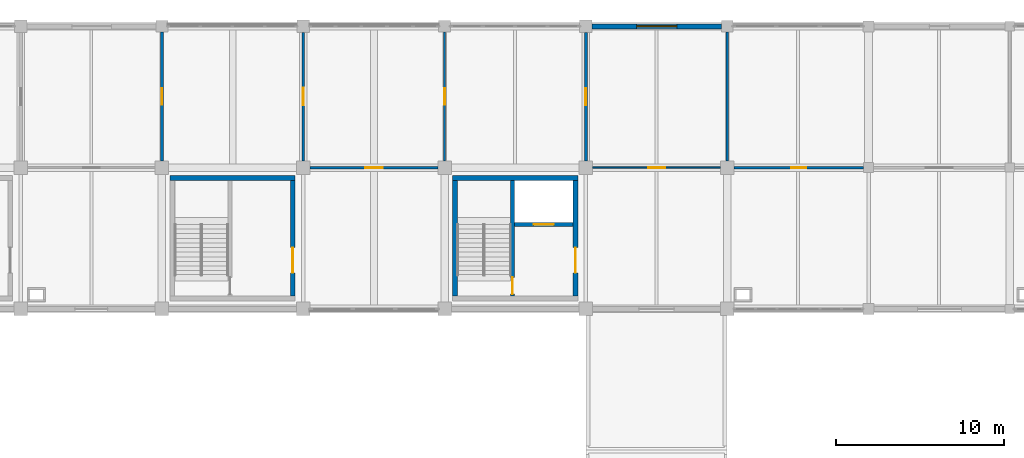
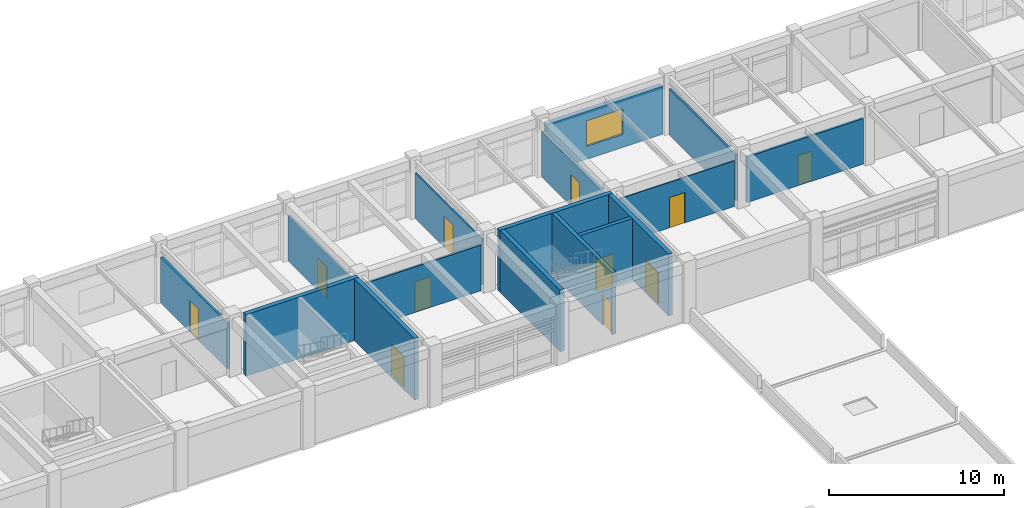
# One storey, part 67 of 74: 16 walls, 11 doors, 1 window, 12 openings.
"""IFC4 building model written with IfcOpenShell, lengths in metres."""

from ifc_helpers import new_model, si_unit, direction, frame, frame_2d, origin, place, context, subcontext, project, spatial, rectangle, extrude, material, layer, layer_set, type_object, element, fill, save


model = new_model("IFC4")

# Units and contexts
model_context = context("Model", 3, precision=1e-05, world=origin(), true_north=direction((0.0, 1.0)))
body_context = subcontext(model_context, "Body", "Model", "MODEL_VIEW")
ifc_project = project(units=[si_unit("LENGTHUNIT", "METRE"), si_unit("AREAUNIT", "SQUARE_METRE"), si_unit("VOLUMEUNIT", "CUBIC_METRE"), si_unit("PLANEANGLEUNIT", "RADIAN"), si_unit("MASSUNIT", "GRAM", prefix="KILO")], contexts=[model_context])

# Site, building, storey
site_placement = place(None, origin())
site = spatial("IfcSite", under=ifc_project, at=site_placement, CompositionType="ELEMENT")
building_placement = place(site_placement, origin())
building = spatial("IfcBuilding", under=site, at=building_placement, Name="Porcellanite Civic Hall", CompositionType="ELEMENT")
storey_placement = place(building_placement, frame((0.0, 0.0, 14.760009765625)))
storey = spatial("IfcBuildingStorey", under=building, at=storey_placement, Name="L03", CompositionType="ELEMENT", Elevation=14.760009765625)

# Wall, opening, door
ifc_material_1 = material(Name="Concrete N40 (40 MPa)", Category="concrete")
ifc_layer_1 = layer(ifc_material_1, 0.239990234375)
ifc_layer_set_1 = layer_set([ifc_layer_1], Name="Concrete N40 (40 MPa)")
wall_type_1 = type_object("IfcWallType", Name="CW-SH240", PredefinedType="SHEAR", material=ifc_layer_set_1)
wall_1_placement = place(storey_placement, frame((113.239990234375, 101.56005859375, 0.0), z_axis=(0.0, 0.0, 1.0), x_axis=(0.0, 1.0, 0.0)))
wall_1 = element("IfcWall", 1, at=wall_1_placement, inside=storey, type_object=wall_type_1, Name="Core divider C4 L03", PredefinedType="SHEAR", context=body_context, shape_type="SweptSolid", body=[
    extrude(rectangle(XDim=6.8798828125, YDim=0.239990234375, at=frame_2d((3.43994140625, 0.0))), origin(), (0.0, 0.0, 1.0), 4.320068359375),
])
opening_1_placement = place(wall_1_placement, frame((0.1201171875, 0.0, 0.0)))
opening_1 = element("IfcOpeningElement", 2, at=opening_1_placement, cuts=wall_1, Name="Opening FD-C4-L03-ST", PredefinedType="OPENING", context=body_context, shape_type="SweptSolid", body=[
    extrude(rectangle(XDim=1.0, YDim=2.14990234375, at=frame_2d((0.5, 1.074951171875))), frame((0.0, 0.1201171875, 0.0), z_axis=(0.0, -1.0, 0.0), x_axis=(1.0, 0.0, 0.0)), (0.0, 0.0, 1.0), 0.239990234375),
])
ifc_material_2 = material(Name="Fire-rated solid-core hardwood timber", Category="wood")
door_type_1 = type_object("IfcDoorType", Name="DR-FD100", OperationType="NOTDEFINED", PredefinedType="DOOR", material=ifc_material_2)
door_1_placement = place(opening_1_placement, origin())
door_1 = element("IfcDoor", 3, at=door_1_placement, inside=storey, type_object=door_type_1, Name="Fire stair door FD-C4-L03-ST", OperationType="SINGLE_SWING_LEFT", OverallHeight=2.14990234375, OverallWidth=1.0, PredefinedType="DOOR", context=body_context, shape_type="SweptSolid", body=[
    extrude(rectangle(XDim=1.0, YDim=2.14990234375, at=frame_2d((0.5, 1.074951171875))), frame((0.0, 0.02490234375, 0.0), z_axis=(0.0, -1.0, 0.0), x_axis=(1.0, 0.0, 0.0)), (0.0, 0.0, 1.0), 0.050048828125),
])
fill(opening_1, door_1)

wall_2_placement = place(storey_placement, frame((113.360107421875, 105.820068359375, 0.0), z_axis=(0.0, 0.0, 1.0), x_axis=(1.0, 0.0, 0.0)))
wall_2 = element("IfcWall", 4, at=wall_2_placement, inside=storey, type_object=wall_type_1, Name="Lift shaft wall C4 L03", PredefinedType="SHEAR", context=body_context, shape_type="SweptSolid", body=[
    extrude(rectangle(XDim=3.47998046875, YDim=0.239990234375, at=frame_2d((1.739990234375, 0.0))), origin(), (0.0, 0.0, 1.0), 4.320068359375),
])
opening_2_placement = place(wall_2_placement, frame((1.139892578125, 0.0, 0.0)))
opening_2 = element("IfcOpeningElement", 5, at=opening_2_placement, cuts=wall_2, Name="Opening LD-02", PredefinedType="OPENING", context=body_context, shape_type="SweptSolid", body=[
    extrude(rectangle(XDim=1.199951171875, YDim=2.199951171875, at=frame_2d((0.60009765625, 1.10009765625))), frame((0.0, 0.1201171875, 0.0), z_axis=(0.0, -1.0, 0.0), x_axis=(1.0, 0.0, 0.0)), (0.0, 0.0, 1.0), 0.239990234375),
])
ifc_material_3 = material(Name="Brushed stainless steel 316", Category="steel")
door_type_2 = type_object("IfcDoorType", Name="DR-LD120", OperationType="DOUBLE_DOOR_SLIDING", PredefinedType="DOOR", material=ifc_material_3)
door_2_placement = place(opening_2_placement, origin())
door_2 = element("IfcDoor", 6, at=door_2_placement, inside=storey, type_object=door_type_2, Name="Lift landing sliding door LD-02 L03", OperationType="DOUBLE_DOOR_SLIDING", OverallHeight=2.199951171875, OverallWidth=1.199951171875, PredefinedType="DOOR", context=body_context, shape_type="SweptSolid", body=[
    extrude(rectangle(XDim=1.199951171875, YDim=2.199951171875, at=frame_2d((0.60009765625, 1.10009765625))), frame((0.0, 0.02490234375, 0.0), z_axis=(0.0, -1.0, 0.0), x_axis=(1.0, 0.0, 0.0)), (0.0, 0.0, 1.0), 0.050048828125),
])
fill(opening_2, door_2)

# Walls
ifc_material_4 = material(Name="Concrete N40 (40 MPa)", Category="concrete")
ifc_layer_2 = layer(ifc_material_4, 0.280029296875)
ifc_layer_set_2 = layer_set([ifc_layer_2], Name="Concrete N40 (40 MPa)")
wall_type_2 = type_object("IfcWallType", Name="CW-SH280", PredefinedType="SHEAR", material=ifc_layer_set_2)
wall_3_placement = place(storey_placement, frame((109.820068359375, 101.56005859375, 0.0), z_axis=(0.0, 0.0, 1.0), x_axis=(0.0, 1.0, 0.0)))
element("IfcWall", 7, at=wall_3_placement, inside=storey, type_object=wall_type_2, Name="Core wall C4 L03 W", PredefinedType="SHEAR", context=body_context, shape_type="SweptSolid", body=[
    extrude(rectangle(XDim=6.8798828125, YDim=0.280029296875, at=frame_2d((3.43994140625, 0.0))), origin(), (0.0, 0.0, 1.0), 4.320068359375),
])
wall_4_placement = place(storey_placement, frame((109.679931640625, 108.580078125, 0.0), z_axis=(0.0, 0.0, 1.0), x_axis=(1.0, 0.0, 0.0)))
element("IfcWall", 8, at=wall_4_placement, inside=storey, type_object=wall_type_2, Name="Core wall C4 L03 N", PredefinedType="SHEAR", context=body_context, shape_type="SweptSolid", body=[
    extrude(rectangle(XDim=7.440185546875, YDim=0.280029296875, at=frame_2d((3.72021484375, 0.0))), origin(), (0.0, 0.0, 1.0), 4.320068359375),
])

# Wall, opening, door
wall_5_placement = place(storey_placement, frame((116.97998046875, 108.43994140625, 0.0), z_axis=(0.0, 0.0, 1.0), x_axis=(0.0, -1.0, 0.0)))
wall_5 = element("IfcWall", 9, at=wall_5_placement, inside=storey, type_object=wall_type_2, Name="Core wall C4 L03 E", PredefinedType="SHEAR", context=body_context, shape_type="SweptSolid", body=[
    extrude(rectangle(XDim=6.8798828125, YDim=0.280029296875, at=frame_2d((3.43994140625, 0.0))), origin(), (0.0, 0.0, 1.0), 4.320068359375),
])
opening_3_placement = place(wall_5_placement, frame((3.989990234375, 0.0, 0.0)))
opening_3 = element("IfcOpeningElement", 10, at=opening_3_placement, cuts=wall_5, Name="Opening FD-C4-L03-LB", PredefinedType="OPENING", context=body_context, shape_type="SweptSolid", body=[
    extrude(rectangle(XDim=1.5, YDim=2.14990234375, at=frame_2d((0.75, 1.074951171875))), frame((0.0, 0.14013671875, 0.0), z_axis=(0.0, -1.0, 0.0), x_axis=(1.0, 0.0, 0.0)), (0.0, 0.0, 1.0), 0.280029296875),
])
ifc_material_5 = material(Name="Fire-rated steel and Georgian wired glass", Category="steel")
door_type_3 = type_object("IfcDoorType", Name="DR-FD150", OperationType="DOUBLE_DOOR_SINGLE_SWING", PredefinedType="DOOR", material=ifc_material_5)
door_3_placement = place(opening_3_placement, origin())
door_3 = element("IfcDoor", 11, at=door_3_placement, inside=storey, type_object=door_type_3, Name="Fire lobby double door FD-C4-L03-LB", OperationType="DOUBLE_DOOR_SINGLE_SWING", OverallHeight=2.14990234375, OverallWidth=1.5, PredefinedType="DOOR", context=body_context, shape_type="SweptSolid", body=[
    extrude(rectangle(XDim=1.5, YDim=2.14990234375, at=frame_2d((0.75, 1.074951171875))), frame((0.0, 0.02490234375, 0.0), z_axis=(0.0, -1.0, 0.0), x_axis=(1.0, 0.0, 0.0)), (0.0, 0.0, 1.0), 0.050048828125),
])
fill(opening_3, door_3)

# Wall
wall_6_placement = place(storey_placement, frame((92.8798828125, 108.580078125, 0.0), z_axis=(0.0, 0.0, 1.0), x_axis=(1.0, 0.0, 0.0)))
element("IfcWall", 12, at=wall_6_placement, inside=storey, type_object=wall_type_2, Name="Core wall S10 L03 N", PredefinedType="SHEAR", context=body_context, shape_type="SweptSolid", body=[
    extrude(rectangle(XDim=7.440185546875, YDim=0.280029296875, at=frame_2d((3.72021484375, 0.0))), origin(), (0.0, 0.0, 1.0), 4.320068359375),
])

# Wall, opening, door
wall_7_placement = place(storey_placement, frame((100.179931640625, 108.43994140625, 0.0), z_axis=(0.0, 0.0, 1.0), x_axis=(0.0, -1.0, 0.0)))
wall_7 = element("IfcWall", 13, at=wall_7_placement, inside=storey, type_object=wall_type_2, Name="Core wall S10 L03 E", PredefinedType="SHEAR", context=body_context, shape_type="SweptSolid", body=[
    extrude(rectangle(XDim=6.8798828125, YDim=0.280029296875, at=frame_2d((3.43994140625, 0.0))), origin(), (0.0, 0.0, 1.0), 4.320068359375),
])
opening_4_placement = place(wall_7_placement, frame((3.989990234375, 0.0, 0.0)))
opening_4 = element("IfcOpeningElement", 14, at=opening_4_placement, cuts=wall_7, Name="Opening FD-S10-L03-LB", PredefinedType="OPENING", context=body_context, shape_type="SweptSolid", body=[
    extrude(rectangle(XDim=1.5, YDim=2.14990234375, at=frame_2d((0.75, 1.074951171875))), frame((0.0, 0.14013671875, 0.0), z_axis=(0.0, -1.0, 0.0), x_axis=(1.0, 0.0, 0.0)), (0.0, 0.0, 1.0), 0.280029296875),
])
door_4_placement = place(opening_4_placement, origin())
door_4 = element("IfcDoor", 15, at=door_4_placement, inside=storey, type_object=door_type_3, Name="Fire lobby double door FD-S10-L03-LB", OperationType="DOUBLE_DOOR_SINGLE_SWING", OverallHeight=2.14990234375, OverallWidth=1.5, PredefinedType="DOOR", context=body_context, shape_type="SweptSolid", body=[
    extrude(rectangle(XDim=1.5, YDim=2.14990234375, at=frame_2d((0.75, 1.074951171875))), frame((0.0, 0.02490234375, 0.0), z_axis=(0.0, -1.0, 0.0), x_axis=(1.0, 0.0, 0.0)), (0.0, 0.0, 1.0), 0.050048828125),
])
fill(opening_4, door_4)

# Wall, opening, window
ifc_material_6 = material(Name="Precast concrete N40 (40 MPa)", Category="concrete")
ifc_layer_3 = layer(ifc_material_6, 0.300048828125)
ifc_layer_set_3 = layer_set([ifc_layer_3], Name="Precast concrete N40 (40 MPa)")
wall_type_3 = type_object("IfcWallType", Name="EW-ADM300", PredefinedType="SOLIDWALL", material=ifc_layer_set_3)
wall_8_placement = place(storey_placement, frame((117.97607421875, 117.60009765625, 0.0), z_axis=(0.0, 0.0, 1.0), x_axis=(1.0, 0.0, 0.0)))
wall_8 = element("IfcWall", 16, at=wall_8_placement, inside=storey, type_object=wall_type_3, Name="Exterior wall L03 N 15-14", PredefinedType="SOLIDWALL", context=body_context, shape_type="SweptSolid", body=[
    extrude(rectangle(XDim=7.6728515625, YDim=0.300048828125, at=frame_2d((3.83642578125, 0.0))), origin(), (0.0, 0.0, 1.0), 3.369873046875),
])
opening_5_placement = place(wall_8_placement, frame((2.635986328125, 0.0, 0.89990234375)))
opening_5 = element("IfcOpeningElement", 17, at=opening_5_placement, cuts=wall_8, Name="Opening W03", PredefinedType="OPENING", context=body_context, shape_type="SweptSolid", body=[
    extrude(rectangle(XDim=2.39990234375, YDim=1.800048828125, at=frame_2d((1.199951171875, 0.89990234375))), frame((0.0, 0.14990234375, 0.0), z_axis=(0.0, -1.0, 0.0), x_axis=(1.0, 0.0, 0.0)), (0.0, 0.0, 1.0), 0.300048828125),
])
ifc_material_7 = material(Name="Cyclone laminated low-E glazing in anodised aluminium frame", Category="aluminium")
window_type = type_object("IfcWindowType", Name="WN-03", PartitioningType="TRIPLE_PANEL_VERTICAL", PredefinedType="WINDOW", material=ifc_material_7)
window_placement = place(opening_5_placement, origin())
window = element("IfcWindow", 18, at=window_placement, inside=storey, type_object=window_type, Name="Window W03 L03 N 15-14", OverallHeight=1.800048828125, OverallWidth=2.39990234375, PartitioningType="SINGLE_PANEL", PredefinedType="WINDOW", context=body_context, shape_type="SweptSolid", body=[
    extrude(rectangle(XDim=2.39990234375, YDim=1.800048828125, at=frame_2d((1.199951171875, 0.89990234375))), frame((0.0, 0.030029296875, 0.0), z_axis=(0.0, -1.0, 0.0), x_axis=(1.0, 0.0, 0.0)), (0.0, 0.0, 1.0), 0.06005859375),
])
fill(opening_5, window)

# Wall
ifc_material_8 = material(Name="Fire-rated plasterboard on light-gauge steel studs", Category="steel")
ifc_layer_4 = layer(ifc_material_8, 0.14794921875)
ifc_layer_set_4 = layer_set([ifc_layer_4], Name="Fire-rated plasterboard on light-gauge steel studs")
wall_type_4 = type_object("IfcWallType", Name="IW-FR148", PredefinedType="PARTITIONING", material=ifc_layer_set_4)
wall_9_placement = place(storey_placement, frame((126.0, 109.60205078125, 0.0), z_axis=(0.0, 0.0, 1.0), x_axis=(0.0, 1.0, 0.0)))
element("IfcWall", 19, at=wall_9_placement, inside=storey, type_object=wall_type_4, Name="Fire compartment wall L03 V 15-14", PredefinedType="PARTITIONING", context=body_context, shape_type="SweptSolid", body=[
    extrude(rectangle(XDim=7.64599609375, YDim=0.14794921875, at=frame_2d((3.822998046875, 0.0))), origin(), (0.0, 0.0, 1.0), 3.18994140625),
])

# Wall, opening, door
ifc_material_9 = material(Name="Fire-rated plasterboard on light-gauge steel studs", Category="steel")
ifc_layer_5 = layer(ifc_material_9, 0.159912109375)
ifc_layer_set_5 = layer_set([ifc_layer_5], Name="Fire-rated plasterboard on light-gauge steel studs")
wall_type_5 = type_object("IfcWallType", Name="IW-FR160", PredefinedType="PARTITIONING", material=ifc_layer_set_5)
wall_10_placement = place(storey_placement, frame((126.402099609375, 109.199951171875, 0.0), z_axis=(0.0, 0.0, 1.0), x_axis=(1.0, 0.0, 0.0)))
wall_10 = element("IfcWall", 20, at=wall_10_placement, inside=storey, type_object=wall_type_5, Name="Fire compartment wall L03 H 16-13", PredefinedType="PARTITIONING", context=body_context, shape_type="SweptSolid", body=[
    extrude(rectangle(XDim=7.69580078125, YDim=0.159912109375, at=frame_2d((3.847900390625, 0.0))), origin(), (0.0, 0.0, 1.0), 3.18994140625),
])
opening_6_placement = place(wall_10_placement, frame((3.39794921875, 0.0, 0.0)))
opening_6 = element("IfcOpeningElement", 21, at=opening_6_placement, cuts=wall_10, Name="Opening D-L03-427", PredefinedType="OPENING", context=body_context, shape_type="SweptSolid", body=[
    extrude(rectangle(XDim=0.89990234375, YDim=2.050048828125, at=frame_2d((0.449951171875, 1.02490234375))), frame((0.0, 0.080078125, 0.0), z_axis=(0.0, -1.0, 0.0), x_axis=(1.0, 0.0, 0.0)), (0.0, 0.0, 1.0), 0.159912109375),
])
ifc_material_10 = material(Name="Fire-rated steel riser access leaf", Category="steel")
door_type_4 = type_object("IfcDoorType", Name="DR-FD090", OperationType="NOTDEFINED", PredefinedType="DOOR", material=ifc_material_10)
door_5_placement = place(opening_6_placement, origin())
door_5 = element("IfcDoor", 22, at=door_5_placement, inside=storey, type_object=door_type_4, Name="Interior door D-L03-427", OperationType="SINGLE_SWING_RIGHT", OverallHeight=2.050048828125, OverallWidth=0.89990234375, PredefinedType="DOOR", context=body_context, shape_type="SweptSolid", body=[
    extrude(rectangle(XDim=0.89990234375, YDim=2.050048828125, at=frame_2d((0.449951171875, 1.02490234375))), frame((0.0, 0.02490234375, 0.0), z_axis=(0.0, -1.0, 0.0), x_axis=(1.0, 0.0, 0.0)), (0.0, 0.0, 1.0), 0.050048828125),
])
fill(opening_6, door_5)

ifc_material_11 = material(Name="Insulated acoustic plasterboard on light-gauge steel studs", Category="steel")
ifc_layer_6 = layer(ifc_material_11, 0.094970703125)
ifc_layer_set_6 = layer_set([ifc_layer_6], Name="Insulated acoustic plasterboard on light-gauge steel studs")
wall_type_6 = type_object("IfcWallType", Name="IW-PT095", PredefinedType="PARTITIONING", material=ifc_layer_set_6)
wall_11_placement = place(storey_placement, frame((118.001953125, 109.199951171875, 0.0), z_axis=(0.0, 0.0, 1.0), x_axis=(1.0, 0.0, 0.0)))
wall_11 = element("IfcWall", 23, at=wall_11_placement, inside=storey, type_object=wall_type_6, Name="Partition L03 H 15-13", PredefinedType="PARTITIONING", context=body_context, shape_type="SweptSolid", body=[
    extrude(rectangle(XDim=7.595947265625, YDim=0.094970703125, at=frame_2d((3.7978515625, 0.0))), origin(), (0.0, 0.0, 1.0), 3.18994140625),
])
opening_7_placement = place(wall_11_placement, frame((3.29296875, 0.0, 0.0)))
opening_7 = element("IfcOpeningElement", 24, at=opening_7_placement, cuts=wall_11, Name="Opening D-L03-426", PredefinedType="OPENING", context=body_context, shape_type="SweptSolid", body=[
    extrude(rectangle(XDim=1.010009765625, YDim=2.1201171875, at=frame_2d((0.5048828125, 1.06005859375))), frame((0.0, 0.04736328125, 0.0), z_axis=(0.0, -1.0, 0.0), x_axis=(1.0, 0.0, 0.0)), (0.0, 0.0, 1.0), 0.094970703125),
])
ifc_material_12 = material(Name="Solid-core spotted-gum timber", Category="wood")
door_type_5 = type_object("IfcDoorType", Name="DR-RM101", OperationType="NOTDEFINED", PredefinedType="DOOR", material=ifc_material_12)
door_6_placement = place(opening_7_placement, origin())
door_6 = element("IfcDoor", 25, at=door_6_placement, inside=storey, type_object=door_type_5, Name="Interior door D-L03-426", OperationType="SINGLE_SWING_LEFT", OverallHeight=2.1201171875, OverallWidth=1.010009765625, PredefinedType="DOOR", context=body_context, shape_type="SweptSolid", body=[
    extrude(rectangle(XDim=1.010009765625, YDim=2.1201171875, at=frame_2d((0.5048828125, 1.06005859375))), frame((0.0, 0.02490234375, 0.0), z_axis=(0.0, -1.0, 0.0), x_axis=(1.0, 0.0, 0.0)), (0.0, 0.0, 1.0), 0.050048828125),
])
fill(opening_7, door_6)

ifc_material_13 = material(Name="Insulated acoustic plasterboard on light-gauge steel studs", Category="steel")
ifc_layer_7 = layer(ifc_material_13, 0.10498046875)
ifc_layer_set_7 = layer_set([ifc_layer_7], Name="Insulated acoustic plasterboard on light-gauge steel studs")
wall_type_7 = type_object("IfcWallType", Name="IW-PT105", PredefinedType="PARTITIONING", material=ifc_layer_set_7)
wall_12_placement = place(storey_placement, frame((109.199951171875, 109.60205078125, 0.0), z_axis=(0.0, 0.0, 1.0), x_axis=(0.0, 1.0, 0.0)))
wall_12 = element("IfcWall", 26, at=wall_12_placement, inside=storey, type_object=wall_type_7, Name="Partition L03 V 13-14", PredefinedType="PARTITIONING", context=body_context, shape_type="SweptSolid", body=[
    extrude(rectangle(XDim=7.64599609375, YDim=0.10498046875, at=frame_2d((3.822998046875, 0.0))), origin(), (0.0, 0.0, 1.0), 3.18994140625),
])
opening_8_placement = place(wall_12_placement, frame((3.3330078125, 0.0, 0.0)))
opening_8 = element("IfcOpeningElement", 27, at=opening_8_placement, cuts=wall_12, Name="Opening D-L03-447", PredefinedType="OPENING", context=body_context, shape_type="SweptSolid", body=[
    extrude(rectangle(XDim=0.97998046875, YDim=2.179931640625, at=frame_2d((0.489990234375, 1.08984375))), frame((0.0, 0.052490234375, 0.0), z_axis=(0.0, -1.0, 0.0), x_axis=(1.0, 0.0, 0.0)), (0.0, 0.0, 1.0), 0.10498046875),
])
ifc_material_14 = material(Name="Solid-core spotted-gum timber", Category="wood")
door_type_6 = type_object("IfcDoorType", Name="DR-RM098", OperationType="NOTDEFINED", PredefinedType="DOOR", material=ifc_material_14)
door_7_placement = place(opening_8_placement, origin())
door_7 = element("IfcDoor", 28, at=door_7_placement, inside=storey, type_object=door_type_6, Name="Interior door D-L03-447", OperationType="SINGLE_SWING_LEFT", OverallHeight=2.179931640625, OverallWidth=0.97998046875, PredefinedType="DOOR", context=body_context, shape_type="SweptSolid", body=[
    extrude(rectangle(XDim=0.97998046875, YDim=2.179931640625, at=frame_2d((0.489990234375, 1.08984375))), frame((0.0, 0.02490234375, 0.0), z_axis=(0.0, -1.0, 0.0), x_axis=(1.0, 0.0, 0.0)), (0.0, 0.0, 1.0), 0.050048828125),
])
fill(opening_8, door_7)

ifc_material_15 = material(Name="Insulated acoustic plasterboard on light-gauge steel studs", Category="steel")
ifc_layer_8 = layer(ifc_material_15, 0.135009765625)
ifc_layer_set_8 = layer_set([ifc_layer_8], Name="Insulated acoustic plasterboard on light-gauge steel studs")
wall_type_8 = type_object("IfcWallType", Name="IW-PT135", PredefinedType="PARTITIONING", material=ifc_layer_set_8)
wall_13_placement = place(storey_placement, frame((100.800048828125, 109.60205078125, 0.0), z_axis=(0.0, 0.0, 1.0), x_axis=(0.0, 1.0, 0.0)))
wall_13 = element("IfcWall", 29, at=wall_13_placement, inside=storey, type_object=wall_type_8, Name="Partition L03 V 12-14", PredefinedType="PARTITIONING", context=body_context, shape_type="SweptSolid", body=[
    extrude(rectangle(XDim=7.620849609375, YDim=0.135009765625, at=frame_2d((3.810546875, 0.0))), origin(), (0.0, 0.0, 1.0), 3.18994140625),
])
opening_9_placement = place(wall_13_placement, frame((3.291015625, 0.0, 0.0)))
opening_9 = element("IfcOpeningElement", 30, at=opening_9_placement, cuts=wall_13, Name="Opening D-L03-457", PredefinedType="OPENING", context=body_context, shape_type="SweptSolid", body=[
    extrude(rectangle(XDim=1.0400390625, YDim=2.199951171875, at=frame_2d((0.52001953125, 1.10009765625))), frame((0.0, 0.0673828125, 0.0), z_axis=(0.0, -1.0, 0.0), x_axis=(1.0, 0.0, 0.0)), (0.0, 0.0, 1.0), 0.135009765625),
])
ifc_material_16 = material(Name="Solid-core spotted-gum timber", Category="wood")
door_type_7 = type_object("IfcDoorType", Name="DR-RM104", OperationType="NOTDEFINED", PredefinedType="DOOR", material=ifc_material_16)
door_8_placement = place(opening_9_placement, origin())
door_8 = element("IfcDoor", 31, at=door_8_placement, inside=storey, type_object=door_type_7, Name="Interior door D-L03-457", OperationType="SINGLE_SWING_LEFT", OverallHeight=2.199951171875, OverallWidth=1.0400390625, PredefinedType="DOOR", context=body_context, shape_type="SweptSolid", body=[
    extrude(rectangle(XDim=1.0400390625, YDim=2.199951171875, at=frame_2d((0.52001953125, 1.10009765625))), frame((0.0, 0.02490234375, 0.0), z_axis=(0.0, -1.0, 0.0), x_axis=(1.0, 0.0, 0.0)), (0.0, 0.0, 1.0), 0.050048828125),
])
fill(opening_9, door_8)

ifc_material_17 = material(Name="Insulated acoustic plasterboard on light-gauge steel studs", Category="steel")
ifc_layer_9 = layer(ifc_material_17, 0.155029296875)
ifc_layer_set_9 = layer_set([ifc_layer_9], Name="Insulated acoustic plasterboard on light-gauge steel studs")
wall_type_9 = type_object("IfcWallType", Name="IW-PT155", PredefinedType="PARTITIONING", material=ifc_layer_set_9)
wall_14_placement = place(storey_placement, frame((101.201904296875, 109.199951171875, 0.0), z_axis=(0.0, 0.0, 1.0), x_axis=(1.0, 0.0, 0.0)))
wall_14 = element("IfcWall", 32, at=wall_14_placement, inside=storey, type_object=wall_type_9, Name="Partition L03 H 13-13", PredefinedType="PARTITIONING", context=body_context, shape_type="SweptSolid", body=[
    extrude(rectangle(XDim=7.59619140625, YDim=0.155029296875, at=frame_2d((3.798095703125, 0.0))), origin(), (0.0, 0.0, 1.0), 3.18994140625),
])
opening_10_placement = place(wall_14_placement, frame((3.27294921875, 0.0, 0.0)))
opening_10 = element("IfcOpeningElement", 33, at=opening_10_placement, cuts=wall_14, Name="Opening D-L03-425", PredefinedType="OPENING", context=body_context, shape_type="SweptSolid", body=[
    extrude(rectangle(XDim=1.050048828125, YDim=2.1201171875, at=frame_2d((0.52490234375, 1.06005859375))), frame((0.0, 0.07763671875, 0.0), z_axis=(0.0, -1.0, 0.0), x_axis=(1.0, 0.0, 0.0)), (0.0, 0.0, 1.0), 0.155029296875),
])
ifc_material_18 = material(Name="Solid-core spotted-gum timber", Category="wood")
door_type_8 = type_object("IfcDoorType", Name="DR-RM105", OperationType="NOTDEFINED", PredefinedType="DOOR", material=ifc_material_18)
door_9_placement = place(opening_10_placement, origin())
door_9 = element("IfcDoor", 34, at=door_9_placement, inside=storey, type_object=door_type_8, Name="Interior door D-L03-425", OperationType="SINGLE_SWING_RIGHT", OverallHeight=2.1201171875, OverallWidth=1.050048828125, PredefinedType="DOOR", context=body_context, shape_type="SweptSolid", body=[
    extrude(rectangle(XDim=1.050048828125, YDim=2.1201171875, at=frame_2d((0.52490234375, 1.06005859375))), frame((0.0, 0.02490234375, 0.0), z_axis=(0.0, -1.0, 0.0), x_axis=(1.0, 0.0, 0.0)), (0.0, 0.0, 1.0), 0.050048828125),
])
fill(opening_10, door_9)

ifc_material_19 = material(Name="Insulated acoustic plasterboard on light-gauge steel studs", Category="steel")
ifc_layer_10 = layer(ifc_material_19, 0.1650390625)
ifc_layer_set_10 = layer_set([ifc_layer_10], Name="Insulated acoustic plasterboard on light-gauge steel studs")
wall_type_10 = type_object("IfcWallType", Name="IW-PT165", PredefinedType="PARTITIONING", material=ifc_layer_set_10)
wall_15_placement = place(storey_placement, frame((92.39990234375, 109.60205078125, 0.0), z_axis=(0.0, 0.0, 1.0), x_axis=(0.0, 1.0, 0.0)))
wall_15 = element("IfcWall", 35, at=wall_15_placement, inside=storey, type_object=wall_type_10, Name="Partition L03 V 11-14", PredefinedType="PARTITIONING", context=body_context, shape_type="SweptSolid", body=[
    extrude(rectangle(XDim=7.64599609375, YDim=0.1650390625, at=frame_2d((3.822998046875, 0.0))), origin(), (0.0, 0.0, 1.0), 3.18994140625),
])
opening_11_placement = place(wall_15_placement, frame((3.322998046875, 0.0, 0.0)))
opening_11 = element("IfcOpeningElement", 36, at=opening_11_placement, cuts=wall_15, Name="Opening D-L03-446", PredefinedType="OPENING", context=body_context, shape_type="SweptSolid", body=[
    extrude(rectangle(XDim=1.0, YDim=2.199951171875, at=frame_2d((0.5, 1.10009765625))), frame((0.0, 0.08251953125, 0.0), z_axis=(0.0, -1.0, 0.0), x_axis=(1.0, 0.0, 0.0)), (0.0, 0.0, 1.0), 0.1650390625),
])
ifc_material_20 = material(Name="Solid-core spotted-gum timber", Category="wood")
door_type_9 = type_object("IfcDoorType", Name="DR-RM100", OperationType="NOTDEFINED", PredefinedType="DOOR", material=ifc_material_20)
door_10_placement = place(opening_11_placement, origin())
door_10 = element("IfcDoor", 37, at=door_10_placement, inside=storey, type_object=door_type_9, Name="Interior door D-L03-446", OperationType="SINGLE_SWING_RIGHT", OverallHeight=2.199951171875, OverallWidth=1.0, PredefinedType="DOOR", context=body_context, shape_type="SweptSolid", body=[
    extrude(rectangle(XDim=1.0, YDim=2.199951171875, at=frame_2d((0.5, 1.10009765625))), frame((0.0, 0.02490234375, 0.0), z_axis=(0.0, -1.0, 0.0), x_axis=(1.0, 0.0, 0.0)), (0.0, 0.0, 1.0), 0.050048828125),
])
fill(opening_11, door_10)

ifc_material_21 = material(Name="Insulated acoustic plasterboard on light-gauge steel studs", Category="steel")
ifc_layer_11 = layer(ifc_material_21, 0.195068359375)
ifc_layer_set_11 = layer_set([ifc_layer_11], Name="Insulated acoustic plasterboard on light-gauge steel studs")
wall_type_11 = type_object("IfcWallType", Name="IW-PT195", PredefinedType="PARTITIONING", material=ifc_layer_set_11)
wall_16_placement = place(storey_placement, frame((117.60009765625, 109.60205078125, 0.0), z_axis=(0.0, 0.0, 1.0), x_axis=(0.0, 1.0, 0.0)))
wall_16 = element("IfcWall", 38, at=wall_16_placement, inside=storey, type_object=wall_type_11, Name="Partition L03 V 14-14", PredefinedType="PARTITIONING", context=body_context, shape_type="SweptSolid", body=[
    extrude(rectangle(XDim=7.620849609375, YDim=0.195068359375, at=frame_2d((3.810546875, 0.0))), origin(), (0.0, 0.0, 1.0), 3.18994140625),
])
opening_12_placement = place(wall_16_placement, frame((3.301025390625, 0.0, 0.0)))
opening_12 = element("IfcOpeningElement", 39, at=opening_12_placement, cuts=wall_16, Name="Opening D-L03-458", PredefinedType="OPENING", context=body_context, shape_type="SweptSolid", body=[
    extrude(rectangle(XDim=1.02001953125, YDim=2.199951171875, at=frame_2d((0.510009765625, 1.10009765625))), frame((0.0, 0.09765625, 0.0), z_axis=(0.0, -1.0, 0.0), x_axis=(1.0, 0.0, 0.0)), (0.0, 0.0, 1.0), 0.195068359375),
])
ifc_material_22 = material(Name="Solid-core spotted-gum timber", Category="wood")
door_type_10 = type_object("IfcDoorType", Name="DR-RM102", OperationType="NOTDEFINED", PredefinedType="DOOR", material=ifc_material_22)
door_11_placement = place(opening_12_placement, origin())
door_11 = element("IfcDoor", 40, at=door_11_placement, inside=storey, type_object=door_type_10, Name="Interior door D-L03-458", OperationType="SINGLE_SWING_RIGHT", OverallHeight=2.199951171875, OverallWidth=1.02001953125, PredefinedType="DOOR", context=body_context, shape_type="SweptSolid", body=[
    extrude(rectangle(XDim=1.02001953125, YDim=2.199951171875, at=frame_2d((0.510009765625, 1.10009765625))), frame((0.0, 0.02490234375, 0.0), z_axis=(0.0, -1.0, 0.0), x_axis=(1.0, 0.0, 0.0)), (0.0, 0.0, 1.0), 0.050048828125),
])
fill(opening_12, door_11)

save(model, "model.ifc")
